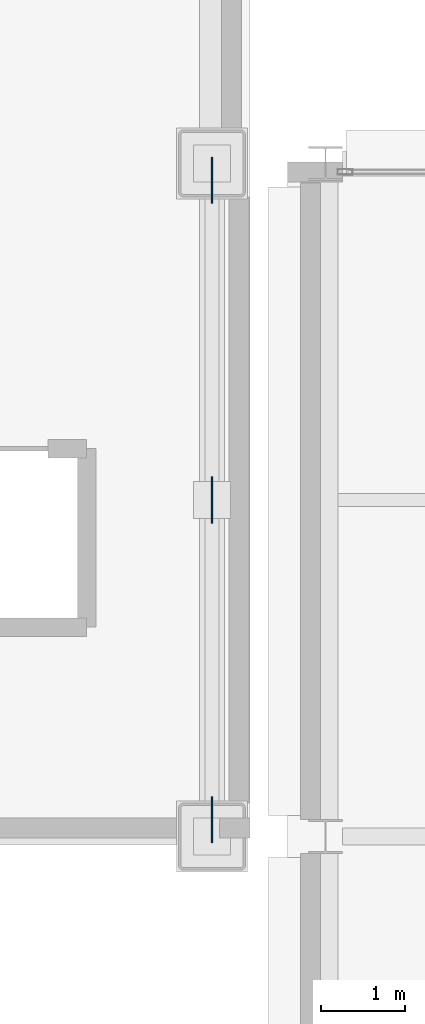
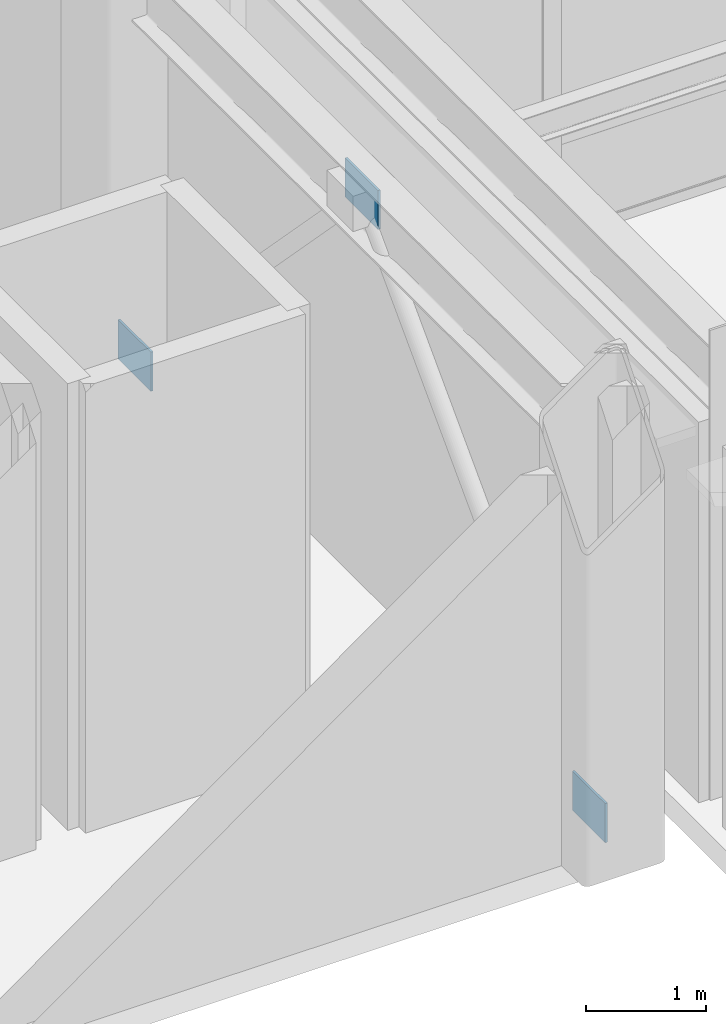
# One storey, part 72 of 93: 3 plates.
"""IFC4 building model written with IfcOpenShell, lengths in metres."""

from ifc_helpers import new_model, si_unit, direction, frame, origin, origin_2d, place, context, subcontext, project, spatial, rectangle, extrude, material, layer, layer_set, type_object, element, save


model = new_model("IFC4")

# Units and contexts
model_context = context("Model", 3, precision=1e-05, world=origin(), true_north=direction((0.0, 1.0)))
body_context = subcontext(model_context, "Body", "Model", "MODEL_VIEW")
ifc_project = project(units=[si_unit("LENGTHUNIT", "METRE"), si_unit("AREAUNIT", "SQUARE_METRE"), si_unit("VOLUMEUNIT", "CUBIC_METRE"), si_unit("PLANEANGLEUNIT", "RADIAN"), si_unit("MASSUNIT", "GRAM", prefix="KILO")], contexts=[model_context])

# Site, building, storey
site_placement = place(None, origin())
site = spatial("IfcSite", under=ifc_project, at=site_placement, CompositionType="ELEMENT")
building_placement = place(site_placement, origin())
building = spatial("IfcBuilding", under=site, at=building_placement, Name="Kazehara Bluff Congress Hotel", CompositionType="ELEMENT")
storey_placement = place(building_placement, frame((0.0, 0.0, 15.0)))
storey = spatial("IfcBuildingStorey", under=building, at=storey_placement, Name="L03", CompositionType="ELEMENT", Elevation=15.0)

# Plates
ifc_material = material(Name="Steel SN490B", Category="steel")
ifc_layer = layer(ifc_material, 0.02197265625)
ifc_layer_set = layer_set([ifc_layer], Name="Steel SN490B")
plate_type = type_object("IfcPlateType", Name="TP-GS-PL2", PredefinedType="USERDEFINED", material=ifc_layer_set)
for number, where, z_axis, x_axis, name in (
    (1, (58.35009765625, 48.64990234375, 0.130126953125), (0.0, 0.0, 1.0), (1.0, 0.0, 0.0), "Chevron foot gusset plate GS-PL2 16"),
    (2, (58.35009765625, 56.25, 0.130126953125), (0.0, 0.0, 1.0), (1.0, 0.0, 0.0), "Chevron foot gusset plate GS-PL2 17"),
    (3, (58.35009765625, 52.449951171875, 4.0849609375), (0.0, 0.0, 1.0), (1.0, 0.0, 0.0), "Chevron gusset plate GS-PL2 18"),
):
    element("IfcPlate", number, at=place(storey_placement, frame(where, z_axis=z_axis, x_axis=x_axis)), inside=storey, type_object=plate_type, Name=name, ObjectType="GUSSET_PLATE", PredefinedType="USERDEFINED", context=body_context, shape_type="SweptSolid", body=[
        extrude(rectangle(XDim=0.02197265625, YDim=0.550048828125, at=origin_2d()), origin(), (0.0, 0.0, 1.0), 0.39990234375),
    ])

save(model, "model.ifc")
